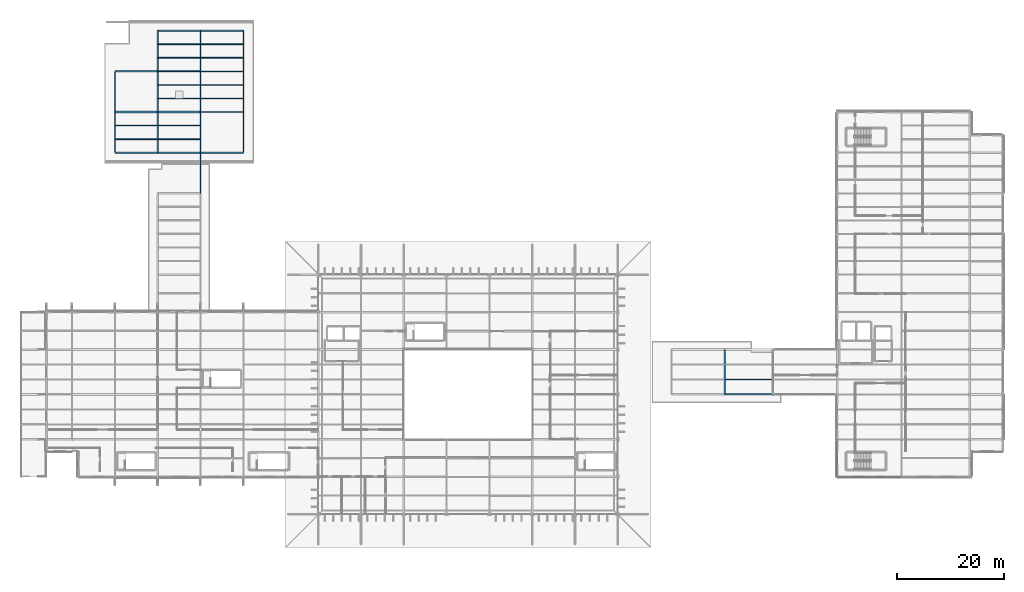
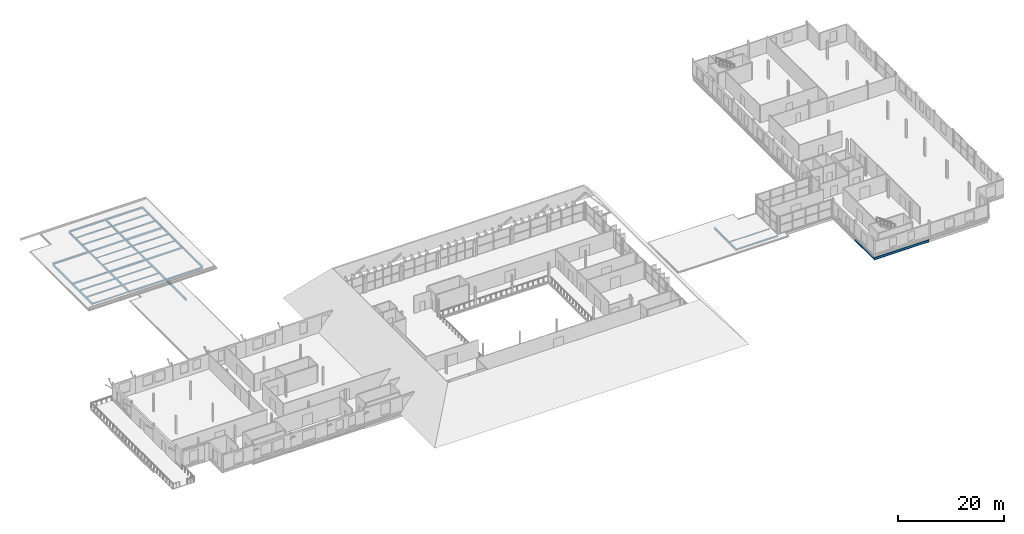
# One storey, part 61 of 93: 40 beams.
"""IFC4 building model written with IfcOpenShell, lengths in metres."""

from ifc_helpers import new_model, si_unit, direction, frame, origin, origin_2d, place, context, subcontext, project, spatial, i_section, extrude, material, material_profile, profile_set, type_object, element, save


model = new_model("IFC4")

# Units and contexts
model_context = context("Model", 3, precision=1e-05, world=origin(), true_north=direction((0.0, 1.0)))
body_context = subcontext(model_context, "Body", "Model", "MODEL_VIEW")
ifc_project = project(units=[si_unit("LENGTHUNIT", "METRE"), si_unit("AREAUNIT", "SQUARE_METRE"), si_unit("VOLUMEUNIT", "CUBIC_METRE"), si_unit("PLANEANGLEUNIT", "RADIAN"), si_unit("MASSUNIT", "GRAM", prefix="KILO")], contexts=[model_context])

# Site, building, storey
site_placement = place(None, origin())
site = spatial("IfcSite", under=ifc_project, at=site_placement, CompositionType="ELEMENT")
building_placement = place(site_placement, origin())
building = spatial("IfcBuilding", under=site, at=building_placement, Name="Vekula Escarpment Museum", CompositionType="ELEMENT")
storey_placement = place(building_placement, frame((0.0, 0.0, 22.199951171875)))
storey = spatial("IfcBuildingStorey", under=building, at=storey_placement, Name="L05", CompositionType="ELEMENT", Elevation=22.199951171875)

# Beams
ifc_material_1 = material(Name="Steel S355", Category="steel")
ifc_material_profile_1 = material_profile(ifc_material_1, i_section(OverallWidth=0.280029296875, OverallDepth=0.280029296875, WebThickness=0.010498046875, FlangeThickness=0.01806640625, FilletRadius=0.02392578125, at=origin_2d()), Name="HEB 280")
ifc_profile_set_1 = profile_set([ifc_material_profile_1], Name="Steel S355")
beam_type_1 = type_object("IfcBeamType", Name="BM-GIRD-HEB280", PredefinedType="BEAM", material=ifc_profile_set_1)
beam_1_placement = place(storey_placement, frame((146.0, 68.0, -0.35986328125), z_axis=(1.0, 0.0, 0.0), x_axis=(0.0, 1.0, 0.0)))
element("IfcBeam", 1, at=beam_1_placement, inside=storey, type_object=beam_type_1, Name="Beam X L05 2004", PredefinedType="BEAM", context=body_context, shape_type="SweptSolid", body=[
    extrude(i_section(OverallWidth=0.280029296875, OverallDepth=0.280029296875, WebThickness=0.010498046875, FlangeThickness=0.01806640625, FilletRadius=0.02392578125, at=origin_2d()), origin(), (0.0, 0.0, 1.0), 9.0),
])
ifc_material_2 = material(Name="Steel S355", Category="steel")
ifc_material_profile_2 = material_profile(ifc_material_2, i_section(OverallWidth=0.300048828125, OverallDepth=0.300048828125, WebThickness=0.010986328125, FlangeThickness=0.01904296875, FilletRadius=0.027099609375, at=origin_2d()), Name="HEB 300")
ifc_profile_set_2 = profile_set([ifc_material_profile_2], Name="Steel S355")
beam_type_2 = type_object("IfcBeamType", Name="BM-GIRD-HEB300", PredefinedType="BEAM", material=ifc_profile_set_2)
beam_2_placement = place(storey_placement, frame((40.0, 113.199951171875, -0.349853515625), z_axis=(1.0, 0.0, 0.0), x_axis=(0.0, 1.0, 0.0)))
element("IfcBeam", 2, at=beam_2_placement, inside=storey, type_object=beam_type_2, Name="Beam X L05 2064", PredefinedType="BEAM", context=body_context, shape_type="SweptSolid", body=[
    extrude(i_section(OverallWidth=0.300048828125, OverallDepth=0.300048828125, WebThickness=0.010986328125, FlangeThickness=0.01904296875, FilletRadius=0.027099609375, at=origin_2d()), origin(), (0.0, 0.0, 1.0), 8.0),
])
ifc_material_3 = material(Name="Steel S355", Category="steel")
ifc_material_profile_3 = material_profile(ifc_material_3, i_section(OverallWidth=0.300048828125, OverallDepth=0.320068359375, WebThickness=0.011474609375, FlangeThickness=0.0205078125, FilletRadius=0.027099609375, at=origin_2d()), Name="HEB 320")
ifc_profile_set_3 = profile_set([ifc_material_profile_3], Name="Steel S355")
beam_type_3 = type_object("IfcBeamType", Name="BM-GIRD-HEB320", PredefinedType="BEAM", material=ifc_profile_set_3)
beam_3_placement = place(storey_placement, frame((32.0, 120.800048828125, -0.35986328125), z_axis=(1.0, 0.0, 0.0), x_axis=(0.0, 1.0, 0.0)))
element("IfcBeam", 3, at=beam_3_placement, inside=storey, type_object=beam_type_3, Name="Beam X L05 2069", PredefinedType="BEAM", context=body_context, shape_type="SweptSolid", body=[
    extrude(i_section(OverallWidth=0.300048828125, OverallDepth=0.320068359375, WebThickness=0.011474609375, FlangeThickness=0.0205078125, FilletRadius=0.027099609375, at=origin_2d()), origin(), (0.0, 0.0, 1.0), 8.0),
])
ifc_material_4 = material(Name="Steel S355", Category="steel")
ifc_material_profile_4 = material_profile(ifc_material_4, i_section(OverallWidth=0.300048828125, OverallDepth=0.360107421875, WebThickness=0.012451171875, FlangeThickness=0.0224609375, FilletRadius=0.027099609375, at=origin_2d()), Name="HEB 360")
ifc_profile_set_4 = profile_set([ifc_material_profile_4], Name="Steel S355")
beam_type_4 = type_object("IfcBeamType", Name="BM-GIRD-HEB360", PredefinedType="BEAM", material=ifc_profile_set_4)
beam_4_placement = place(storey_placement, frame((48.0, 113.199951171875, -0.3798828125), z_axis=(1.0, 0.0, 0.0), x_axis=(0.0, 1.0, 0.0)))
element("IfcBeam", 4, at=beam_4_placement, inside=storey, type_object=beam_type_4, Name="Beam X L05 2065", PredefinedType="BEAM", context=body_context, shape_type="SweptSolid", body=[
    extrude(i_section(OverallWidth=0.300048828125, OverallDepth=0.360107421875, WebThickness=0.012451171875, FlangeThickness=0.0224609375, FilletRadius=0.027099609375, at=origin_2d()), origin(), (0.0, 0.0, 1.0), 8.0),
])
ifc_material_5 = material(Name="Steel S355", Category="steel")
ifc_material_profile_5 = material_profile(ifc_material_5, i_section(OverallWidth=0.300048828125, OverallDepth=0.39990234375, WebThickness=0.013427734375, FlangeThickness=0.02392578125, FilletRadius=0.027099609375, at=origin_2d()), Name="HEB 400")
ifc_profile_set_5 = profile_set([ifc_material_profile_5], Name="Steel S355")
beam_type_5 = type_object("IfcBeamType", Name="BM-GIRD-HEB400", PredefinedType="BEAM", material=ifc_profile_set_5)
for number, where, z_axis, x_axis, name in (
    (5, (40.0, 120.800048828125, -0.39990234375), (1.0, 0.0, 0.0), (0.0, 1.0, 0.0), "Beam X L05 2070"),
    (6, (32.0, 128.39990234375, -0.39990234375), (1.0, 0.0, 0.0), (0.0, 1.0, 0.0), "Beam X L05 2074"),
):
    element("IfcBeam", number, at=place(storey_placement, frame(where, z_axis=z_axis, x_axis=x_axis)), inside=storey, type_object=beam_type_5, Name=name, PredefinedType="BEAM", context=body_context, shape_type="SweptSolid", body=[
        extrude(i_section(OverallWidth=0.300048828125, OverallDepth=0.39990234375, WebThickness=0.013427734375, FlangeThickness=0.02392578125, FilletRadius=0.027099609375, at=origin_2d()), origin(), (0.0, 0.0, 1.0), 8.0),
    ])
ifc_material_6 = material(Name="Steel S355", Category="steel")
ifc_material_profile_6 = material_profile(ifc_material_6, i_section(OverallWidth=0.179931640625, OverallDepth=0.39990234375, WebThickness=0.008544921875, FlangeThickness=0.013427734375, FilletRadius=0.02099609375, at=origin_2d()), Name="IPE 400")
ifc_profile_set_6 = profile_set([ifc_material_profile_6], Name="Steel S355")
beam_type_6 = type_object("IfcBeamType", Name="BM-GIRD-IPE400", PredefinedType="BEAM", material=ifc_profile_set_6)
for number, where, z_axis, x_axis, name in (
    (7, (48.0, 120.800048828125, -0.39990234375), (1.0, 0.0, 0.0), (0.0, 1.0, 0.0), "Beam X L05 2071"),
    (8, (40.0, 128.39990234375, -0.39990234375), (1.0, 0.0, 0.0), (0.0, 1.0, 0.0), "Beam X L05 2075"),
):
    element("IfcBeam", number, at=place(storey_placement, frame(where, z_axis=z_axis, x_axis=x_axis)), inside=storey, type_object=beam_type_6, Name=name, PredefinedType="BEAM", context=body_context, shape_type="SweptSolid", body=[
        extrude(i_section(OverallWidth=0.179931640625, OverallDepth=0.39990234375, WebThickness=0.008544921875, FlangeThickness=0.013427734375, FilletRadius=0.02099609375, at=origin_2d()), origin(), (0.0, 0.0, 1.0), 8.0),
    ])
ifc_material_7 = material(Name="Steel S355", Category="steel")
ifc_material_profile_7 = material_profile(ifc_material_7, i_section(OverallWidth=0.199951171875, OverallDepth=0.5, WebThickness=0.01025390625, FlangeThickness=0.01611328125, FilletRadius=0.02099609375, at=origin_2d()), Name="IPE 500")
ifc_profile_set_7 = profile_set([ifc_material_profile_7], Name="Steel S355")
beam_type_7 = type_object("IfcBeamType", Name="BM-GIRD-IPE500", PredefinedType="BEAM", material=ifc_profile_set_7)
beam_5_placement = place(storey_placement, frame((48.0, 128.39990234375, -0.449951171875), z_axis=(1.0, 0.0, 0.0), x_axis=(0.0, 1.0, 0.0)))
element("IfcBeam", 9, at=beam_5_placement, inside=storey, type_object=beam_type_7, Name="Beam X L05 2076", PredefinedType="BEAM", context=body_context, shape_type="SweptSolid", body=[
    extrude(i_section(OverallWidth=0.199951171875, OverallDepth=0.5, WebThickness=0.01025390625, FlangeThickness=0.01611328125, FilletRadius=0.02099609375, at=origin_2d()), origin(), (0.0, 0.0, 1.0), 8.0),
])
beam_6_placement = place(storey_placement, frame((32.0, 113.199951171875, -0.449951171875), z_axis=(0.0, 1.0, 0.0), x_axis=(-1.0, 0.0, 0.0)))
element("IfcBeam", 10, at=beam_6_placement, inside=storey, type_object=beam_type_7, Name="Beam Y L05 2092", PredefinedType="BEAM", context=body_context, shape_type="SweptSolid", body=[
    extrude(i_section(OverallWidth=0.199951171875, OverallDepth=0.5, WebThickness=0.01025390625, FlangeThickness=0.01611328125, FilletRadius=0.02099609375, at=origin_2d()), origin(), (0.0, 0.0, 1.0), 7.60009765625),
])
beam_7_placement = place(storey_placement, frame((32.0, 120.800048828125, -0.449951171875), z_axis=(0.0, 1.0, 0.0), x_axis=(-1.0, 0.0, 0.0)))
element("IfcBeam", 11, at=beam_7_placement, inside=storey, type_object=beam_type_7, Name="Beam Y L05 2093", PredefinedType="BEAM", context=body_context, shape_type="SweptSolid", body=[
    extrude(i_section(OverallWidth=0.199951171875, OverallDepth=0.5, WebThickness=0.01025390625, FlangeThickness=0.01611328125, FilletRadius=0.02099609375, at=origin_2d()), origin(), (0.0, 0.0, 1.0), 7.599853515625),
])
beam_8_placement = place(storey_placement, frame((40.0, 113.199951171875, -0.449951171875), z_axis=(0.0, 1.0, 0.0), x_axis=(-1.0, 0.0, 0.0)))
element("IfcBeam", 12, at=beam_8_placement, inside=storey, type_object=beam_type_7, Name="Beam Y L05 2101", PredefinedType="BEAM", context=body_context, shape_type="SweptSolid", body=[
    extrude(i_section(OverallWidth=0.199951171875, OverallDepth=0.5, WebThickness=0.01025390625, FlangeThickness=0.01611328125, FilletRadius=0.02099609375, at=origin_2d()), origin(), (0.0, 0.0, 1.0), 7.60009765625),
])
beam_9_placement = place(storey_placement, frame((40.0, 120.800048828125, -0.449951171875), z_axis=(0.0, 1.0, 0.0), x_axis=(-1.0, 0.0, 0.0)))
element("IfcBeam", 13, at=beam_9_placement, inside=storey, type_object=beam_type_7, Name="Beam Y L05 2102", PredefinedType="BEAM", context=body_context, shape_type="SweptSolid", body=[
    extrude(i_section(OverallWidth=0.199951171875, OverallDepth=0.5, WebThickness=0.01025390625, FlangeThickness=0.01611328125, FilletRadius=0.02099609375, at=origin_2d()), origin(), (0.0, 0.0, 1.0), 7.599853515625),
])
beam_10_placement = place(storey_placement, frame((40.0, 128.39990234375, -0.449951171875), z_axis=(0.0, 1.0, 0.0), x_axis=(-1.0, 0.0, 0.0)))
element("IfcBeam", 14, at=beam_10_placement, inside=storey, type_object=beam_type_7, Name="Beam Y L05 2103", PredefinedType="BEAM", context=body_context, shape_type="SweptSolid", body=[
    extrude(i_section(OverallWidth=0.199951171875, OverallDepth=0.5, WebThickness=0.01025390625, FlangeThickness=0.01611328125, FilletRadius=0.02099609375, at=origin_2d()), origin(), (0.0, 0.0, 1.0), 7.60009765625),
])
beam_11_placement = place(storey_placement, frame((48.0, 105.60009765625, -0.449951171875), z_axis=(0.0, 1.0, 0.0), x_axis=(-1.0, 0.0, 0.0)))
element("IfcBeam", 15, at=beam_11_placement, inside=storey, type_object=beam_type_7, Name="Beam Y L05 2111", PredefinedType="BEAM", context=body_context, shape_type="SweptSolid", body=[
    extrude(i_section(OverallWidth=0.199951171875, OverallDepth=0.5, WebThickness=0.01025390625, FlangeThickness=0.01611328125, FilletRadius=0.02099609375, at=origin_2d()), origin(), (0.0, 0.0, 1.0), 7.599853515625),
])
beam_12_placement = place(storey_placement, frame((48.0, 113.199951171875, -0.449951171875), z_axis=(0.0, 1.0, 0.0), x_axis=(-1.0, 0.0, 0.0)))
element("IfcBeam", 16, at=beam_12_placement, inside=storey, type_object=beam_type_7, Name="Beam Y L05 2112", PredefinedType="BEAM", context=body_context, shape_type="SweptSolid", body=[
    extrude(i_section(OverallWidth=0.199951171875, OverallDepth=0.5, WebThickness=0.01025390625, FlangeThickness=0.01611328125, FilletRadius=0.02099609375, at=origin_2d()), origin(), (0.0, 0.0, 1.0), 7.60009765625),
])
beam_13_placement = place(storey_placement, frame((48.0, 120.800048828125, -0.449951171875), z_axis=(0.0, 1.0, 0.0), x_axis=(-1.0, 0.0, 0.0)))
element("IfcBeam", 17, at=beam_13_placement, inside=storey, type_object=beam_type_7, Name="Beam Y L05 2113", PredefinedType="BEAM", context=body_context, shape_type="SweptSolid", body=[
    extrude(i_section(OverallWidth=0.199951171875, OverallDepth=0.5, WebThickness=0.01025390625, FlangeThickness=0.01611328125, FilletRadius=0.02099609375, at=origin_2d()), origin(), (0.0, 0.0, 1.0), 7.599853515625),
])
for number, where, z_axis, x_axis, name in (
    (18, (48.0, 128.39990234375, -0.449951171875), (0.0, 1.0, 0.0), (-1.0, 0.0, 0.0), "Beam Y L05 2114"),
    (19, (56.0, 113.199951171875, -0.449951171875), (0.0, 1.0, 0.0), (-1.0, 0.0, 0.0), "Beam Y L05 2119"),
):
    element("IfcBeam", number, at=place(storey_placement, frame(where, z_axis=z_axis, x_axis=x_axis)), inside=storey, type_object=beam_type_7, Name=name, PredefinedType="BEAM", context=body_context, shape_type="SweptSolid", body=[
        extrude(i_section(OverallWidth=0.199951171875, OverallDepth=0.5, WebThickness=0.01025390625, FlangeThickness=0.01611328125, FilletRadius=0.02099609375, at=origin_2d()), origin(), (0.0, 0.0, 1.0), 7.60009765625),
    ])
beam_14_placement = place(storey_placement, frame((56.0, 120.800048828125, -0.449951171875), z_axis=(0.0, 1.0, 0.0), x_axis=(-1.0, 0.0, 0.0)))
element("IfcBeam", 20, at=beam_14_placement, inside=storey, type_object=beam_type_7, Name="Beam Y L05 2120", PredefinedType="BEAM", context=body_context, shape_type="SweptSolid", body=[
    extrude(i_section(OverallWidth=0.199951171875, OverallDepth=0.5, WebThickness=0.01025390625, FlangeThickness=0.01611328125, FilletRadius=0.02099609375, at=origin_2d()), origin(), (0.0, 0.0, 1.0), 7.599853515625),
])
beam_15_placement = place(storey_placement, frame((56.0, 128.39990234375, -0.449951171875), z_axis=(0.0, 1.0, 0.0), x_axis=(-1.0, 0.0, 0.0)))
element("IfcBeam", 21, at=beam_15_placement, inside=storey, type_object=beam_type_7, Name="Beam Y L05 2121", PredefinedType="BEAM", context=body_context, shape_type="SweptSolid", body=[
    extrude(i_section(OverallWidth=0.199951171875, OverallDepth=0.5, WebThickness=0.01025390625, FlangeThickness=0.01611328125, FilletRadius=0.02099609375, at=origin_2d()), origin(), (0.0, 0.0, 1.0), 7.60009765625),
])
beam_16_placement = place(storey_placement, frame((146.0, 68.0, -0.449951171875), z_axis=(0.0, 1.0, 0.0), x_axis=(-1.0, 0.0, 0.0)))
element("IfcBeam", 22, at=beam_16_placement, inside=storey, type_object=beam_type_7, Name="Beam Y L05 2155", PredefinedType="BEAM", context=body_context, shape_type="SweptSolid", body=[
    extrude(i_section(OverallWidth=0.199951171875, OverallDepth=0.5, WebThickness=0.01025390625, FlangeThickness=0.01611328125, FilletRadius=0.02099609375, at=origin_2d()), origin(), (0.0, 0.0, 1.0), 8.39990234375),
])
ifc_material_8 = material(Name="Steel S355", Category="steel")
ifc_material_profile_8 = material_profile(ifc_material_8, i_section(OverallWidth=0.2099609375, OverallDepth=0.550048828125, WebThickness=0.010986328125, FlangeThickness=0.01708984375, FilletRadius=0.02392578125, at=origin_2d()), Name="IPE 550")
ifc_profile_set_8 = profile_set([ifc_material_profile_8], Name="Steel S355")
beam_type_8 = type_object("IfcBeamType", Name="BM-GIRD-IPE550", PredefinedType="BEAM", material=ifc_profile_set_8)
beam_17_placement = place(storey_placement, frame((167.0, 52.60009765625, -0.52490234375), z_axis=(1.0, 0.0, 0.0), x_axis=(0.0, 1.0, 0.0)))
element("IfcBeam", 23, at=beam_17_placement, inside=storey, type_object=beam_type_8, Name="Beam X L05 1973", PredefinedType="BEAM", context=body_context, shape_type="SweptSolid", body=[
    extrude(i_section(OverallWidth=0.2099609375, OverallDepth=0.550048828125, WebThickness=0.010986328125, FlangeThickness=0.01708984375, FilletRadius=0.02392578125, at=origin_2d()), origin(), (0.0, 0.0, 1.0), 12.0),
])
ifc_material_9 = material(Name="Steel S355", Category="steel")
ifc_material_profile_9 = material_profile(ifc_material_9, i_section(OverallWidth=0.1201171875, OverallDepth=0.239990234375, WebThickness=0.006103515625, FlangeThickness=0.009765625, FilletRadius=0.014892578125, at=origin_2d()), Name="IPE 240")
ifc_profile_set_9 = profile_set([ifc_material_profile_9], Name="Steel S355")
beam_type_9 = type_object("IfcBeamType", Name="BM-JST-IPE240", PredefinedType="JOIST", material=ifc_profile_set_9)
for number, where, z_axis, x_axis, name in (
    (24, (40.090087890625, 130.933349609375, -0.320068359375), (1.0, 0.0, 0.0), (0.0, 1.0, 0.0), "Secondary Joist L05 1325"),
    (25, (40.090087890625, 133.466796875, -0.320068359375), (1.0, 0.0, 0.0), (0.0, 1.0, 0.0), "Secondary Joist L05 1326"),
    (26, (48.090087890625, 123.333251953125, -0.320068359375), (1.0, 0.0, 0.0), (0.0, 1.0, 0.0), "Secondary Joist L05 1331"),
    (27, (48.090087890625, 125.86669921875, -0.320068359375), (1.0, 0.0, 0.0), (0.0, 1.0, 0.0), "Secondary Joist L05 1332"),
):
    element("IfcBeam", number, at=place(storey_placement, frame(where, z_axis=z_axis, x_axis=x_axis)), inside=storey, type_object=beam_type_9, Name=name, PredefinedType="JOIST", context=body_context, shape_type="SweptSolid", body=[
        extrude(i_section(OverallWidth=0.1201171875, OverallDepth=0.239990234375, WebThickness=0.006103515625, FlangeThickness=0.009765625, FilletRadius=0.014892578125, at=origin_2d()), origin(), (0.0, 0.0, 1.0), 7.81982421875),
    ])
ifc_material_10 = material(Name="Steel S355", Category="steel")
ifc_material_profile_10 = material_profile(ifc_material_10, i_section(OverallWidth=0.135009765625, OverallDepth=0.27001953125, WebThickness=0.006591796875, FlangeThickness=0.01025390625, FilletRadius=0.014892578125, at=origin_2d()), Name="IPE 270")
ifc_profile_set_10 = profile_set([ifc_material_profile_10], Name="Steel S355")
beam_type_10 = type_object("IfcBeamType", Name="BM-JST-IPE270", PredefinedType="JOIST", material=ifc_profile_set_10)
for number, where, z_axis, x_axis, name in (
    (28, (40.090087890625, 123.333251953125, -0.3349609375), (1.0, 0.0, 0.0), (0.0, 1.0, 0.0), "Secondary Joist L05 1323"),
    (29, (40.090087890625, 125.86669921875, -0.3349609375), (1.0, 0.0, 0.0), (0.0, 1.0, 0.0), "Secondary Joist L05 1324"),
):
    element("IfcBeam", number, at=place(storey_placement, frame(where, z_axis=z_axis, x_axis=x_axis)), inside=storey, type_object=beam_type_10, Name=name, PredefinedType="JOIST", context=body_context, shape_type="SweptSolid", body=[
        extrude(i_section(OverallWidth=0.135009765625, OverallDepth=0.27001953125, WebThickness=0.006591796875, FlangeThickness=0.01025390625, FilletRadius=0.014892578125, at=origin_2d()), origin(), (0.0, 0.0, 1.0), 7.81982421875),
    ])
beam_18_placement = place(storey_placement, frame((146.090087890625, 70.800048828125, -0.35498046875), z_axis=(1.0, 0.0, 0.0), x_axis=(0.0, 1.0, 0.0)))
element("IfcBeam", 30, at=beam_18_placement, inside=storey, type_object=beam_type_10, Name="Secondary Joist L05 1383", PredefinedType="JOIST", context=body_context, shape_type="SweptSolid", body=[
    extrude(i_section(OverallWidth=0.135009765625, OverallDepth=0.27001953125, WebThickness=0.006591796875, FlangeThickness=0.01025390625, FilletRadius=0.014892578125, at=origin_2d()), origin(), (0.0, 0.0, 1.0), 8.81982421875),
])
ifc_material_11 = material(Name="Steel S355", Category="steel")
ifc_material_profile_11 = material_profile(ifc_material_11, i_section(OverallWidth=0.14990234375, OverallDepth=0.300048828125, WebThickness=0.007080078125, FlangeThickness=0.0107421875, FilletRadius=0.014892578125, at=origin_2d()), Name="IPE 300")
ifc_profile_set_11 = profile_set([ifc_material_profile_11], Name="Steel S355")
beam_type_11 = type_object("IfcBeamType", Name="BM-JST-IPE300", PredefinedType="JOIST", material=ifc_profile_set_11)
for number, where, z_axis, x_axis, name in (
    (31, (40.090087890625, 115.7333984375, -0.349853515625), (1.0, 0.0, 0.0), (0.0, 1.0, 0.0), "Secondary Joist L05 1321"),
    (32, (40.090087890625, 118.2666015625, -0.349853515625), (1.0, 0.0, 0.0), (0.0, 1.0, 0.0), "Secondary Joist L05 1322"),
):
    element("IfcBeam", number, at=place(storey_placement, frame(where, z_axis=z_axis, x_axis=x_axis)), inside=storey, type_object=beam_type_11, Name=name, PredefinedType="JOIST", context=body_context, shape_type="SweptSolid", body=[
        extrude(i_section(OverallWidth=0.14990234375, OverallDepth=0.300048828125, WebThickness=0.007080078125, FlangeThickness=0.0107421875, FilletRadius=0.014892578125, at=origin_2d()), origin(), (0.0, 0.0, 1.0), 7.81982421875),
    ])
ifc_material_12 = material(Name="Steel S355", Category="steel")
ifc_material_profile_12 = material_profile(ifc_material_12, i_section(OverallWidth=0.159912109375, OverallDepth=0.330078125, WebThickness=0.007568359375, FlangeThickness=0.011474609375, FilletRadius=0.01806640625, at=origin_2d()), Name="IPE 330")
ifc_profile_set_12 = profile_set([ifc_material_profile_12], Name="Steel S355")
beam_type_12 = type_object("IfcBeamType", Name="BM-JST-IPE330", PredefinedType="JOIST", material=ifc_profile_set_12)
for number, where, z_axis, x_axis, name in (
    (33, (32.090087890625, 115.7333984375, -0.364990234375), (1.0, 0.0, 0.0), (0.0, 1.0, 0.0), "Secondary Joist L05 1308"),
    (34, (32.090087890625, 118.2666015625, -0.364990234375), (1.0, 0.0, 0.0), (0.0, 1.0, 0.0), "Secondary Joist L05 1309"),
):
    element("IfcBeam", number, at=place(storey_placement, frame(where, z_axis=z_axis, x_axis=x_axis)), inside=storey, type_object=beam_type_12, Name=name, PredefinedType="JOIST", context=body_context, shape_type="SweptSolid", body=[
        extrude(i_section(OverallWidth=0.159912109375, OverallDepth=0.330078125, WebThickness=0.007568359375, FlangeThickness=0.011474609375, FilletRadius=0.01806640625, at=origin_2d()), origin(), (0.0, 0.0, 1.0), 7.81982421875),
    ])
ifc_material_13 = material(Name="Steel S355", Category="steel")
ifc_material_profile_13 = material_profile(ifc_material_13, i_section(OverallWidth=0.169921875, OverallDepth=0.360107421875, WebThickness=0.008056640625, FlangeThickness=0.0126953125, FilletRadius=0.01806640625, at=origin_2d()), Name="IPE 360")
ifc_profile_set_13 = profile_set([ifc_material_profile_13], Name="Steel S355")
beam_type_13 = type_object("IfcBeamType", Name="BM-JST-IPE360", PredefinedType="JOIST", material=ifc_profile_set_13)
for number, where, z_axis, x_axis, name in (
    (35, (48.090087890625, 130.933349609375, -0.3798828125), (1.0, 0.0, 0.0), (0.0, 1.0, 0.0), "Secondary Joist L05 1333"),
    (36, (48.090087890625, 133.466796875, -0.3798828125), (1.0, 0.0, 0.0), (0.0, 1.0, 0.0), "Secondary Joist L05 1334"),
):
    element("IfcBeam", number, at=place(storey_placement, frame(where, z_axis=z_axis, x_axis=x_axis)), inside=storey, type_object=beam_type_13, Name=name, PredefinedType="JOIST", context=body_context, shape_type="SweptSolid", body=[
        extrude(i_section(OverallWidth=0.169921875, OverallDepth=0.360107421875, WebThickness=0.008056640625, FlangeThickness=0.0126953125, FilletRadius=0.01806640625, at=origin_2d()), origin(), (0.0, 0.0, 1.0), 7.81982421875),
    ])
ifc_material_14 = material(Name="Steel S355", Category="steel")
ifc_material_profile_14 = material_profile(ifc_material_14, i_section(OverallWidth=0.239990234375, OverallDepth=0.22998046875, WebThickness=0.007568359375, FlangeThickness=0.011962890625, FilletRadius=0.02099609375, at=origin_2d()), Name="HEA 240")
ifc_profile_set_14 = profile_set([ifc_material_profile_14], Name="Steel S355")
beam_type_14 = type_object("IfcBeamType", Name="BM-SPAN-HEA240", PredefinedType="SPANDREL", material=ifc_profile_set_14)
beam_19_placement = place(storey_placement, frame((32.0, 113.199951171875, -0.31494140625), z_axis=(1.0, 0.0, 0.0), x_axis=(0.0, 1.0, 0.0)))
element("IfcBeam", 37, at=beam_19_placement, inside=storey, type_object=beam_type_14, Name="Beam X L05 2063", PredefinedType="SPANDREL", context=body_context, shape_type="SweptSolid", body=[
    extrude(i_section(OverallWidth=0.239990234375, OverallDepth=0.22998046875, WebThickness=0.007568359375, FlangeThickness=0.011962890625, FilletRadius=0.02099609375, at=origin_2d()), origin(), (0.0, 0.0, 1.0), 8.0),
])
ifc_material_15 = material(Name="Steel S355", Category="steel")
ifc_material_profile_15 = material_profile(ifc_material_15, i_section(OverallWidth=0.300048828125, OverallDepth=0.2900390625, WebThickness=0.008544921875, FlangeThickness=0.013916015625, FilletRadius=0.027099609375, at=origin_2d()), Name="HEA 300")
ifc_profile_set_15 = profile_set([ifc_material_profile_15], Name="Steel S355")
beam_type_15 = type_object("IfcBeamType", Name="BM-SPAN-HEA300", PredefinedType="SPANDREL", material=ifc_profile_set_15)
beam_20_placement = place(storey_placement, frame((167.0, 52.60009765625, -0.39501953125), z_axis=(0.0, 1.0, 0.0), x_axis=(-1.0, 0.0, 0.0)))
element("IfcBeam", 38, at=beam_20_placement, inside=storey, type_object=beam_type_15, Name="Beam Y L05 2157", PredefinedType="SPANDREL", context=body_context, shape_type="SweptSolid", body=[
    extrude(i_section(OverallWidth=0.300048828125, OverallDepth=0.2900390625, WebThickness=0.008544921875, FlangeThickness=0.013916015625, FilletRadius=0.027099609375, at=origin_2d()), origin(), (0.0, 0.0, 1.0), 7.0),
])
ifc_material_16 = material(Name="Steel S355", Category="steel")
ifc_material_profile_16 = material_profile(ifc_material_16, i_section(OverallWidth=0.300048828125, OverallDepth=0.389892578125, WebThickness=0.010986328125, FlangeThickness=0.01904296875, FilletRadius=0.027099609375, at=origin_2d()), Name="HEA 400")
ifc_profile_set_16 = profile_set([ifc_material_profile_16], Name="Steel S355")
beam_type_16 = type_object("IfcBeamType", Name="BM-SPAN-HEA400", PredefinedType="SPANDREL", material=ifc_profile_set_16)
for number, where, z_axis, x_axis, name in (
    (39, (40.0, 136.0, -0.39501953125), (1.0, 0.0, 0.0), (0.0, 1.0, 0.0), "Beam X L05 2077"),
    (40, (48.0, 136.0, -0.39501953125), (1.0, 0.0, 0.0), (0.0, 1.0, 0.0), "Beam X L05 2078"),
):
    element("IfcBeam", number, at=place(storey_placement, frame(where, z_axis=z_axis, x_axis=x_axis)), inside=storey, type_object=beam_type_16, Name=name, PredefinedType="SPANDREL", context=body_context, shape_type="SweptSolid", body=[
        extrude(i_section(OverallWidth=0.300048828125, OverallDepth=0.389892578125, WebThickness=0.010986328125, FlangeThickness=0.01904296875, FilletRadius=0.027099609375, at=origin_2d()), origin(), (0.0, 0.0, 1.0), 8.0),
    ])

save(model, "model.ifc")
